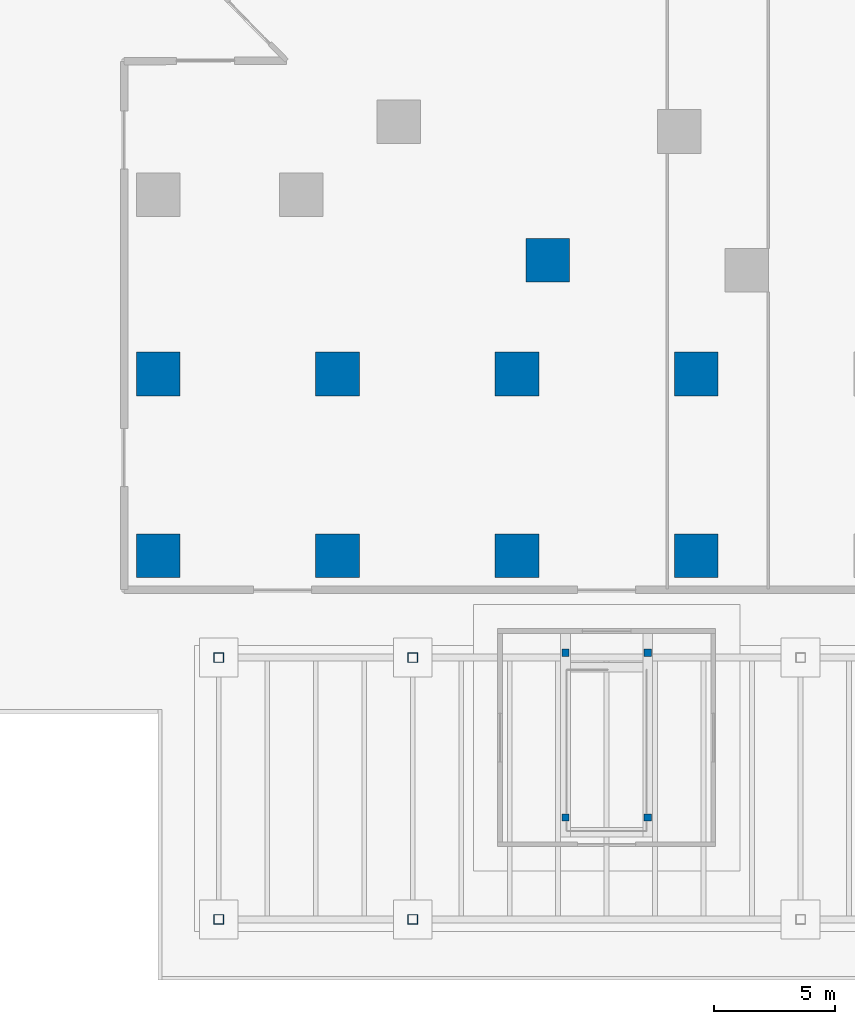
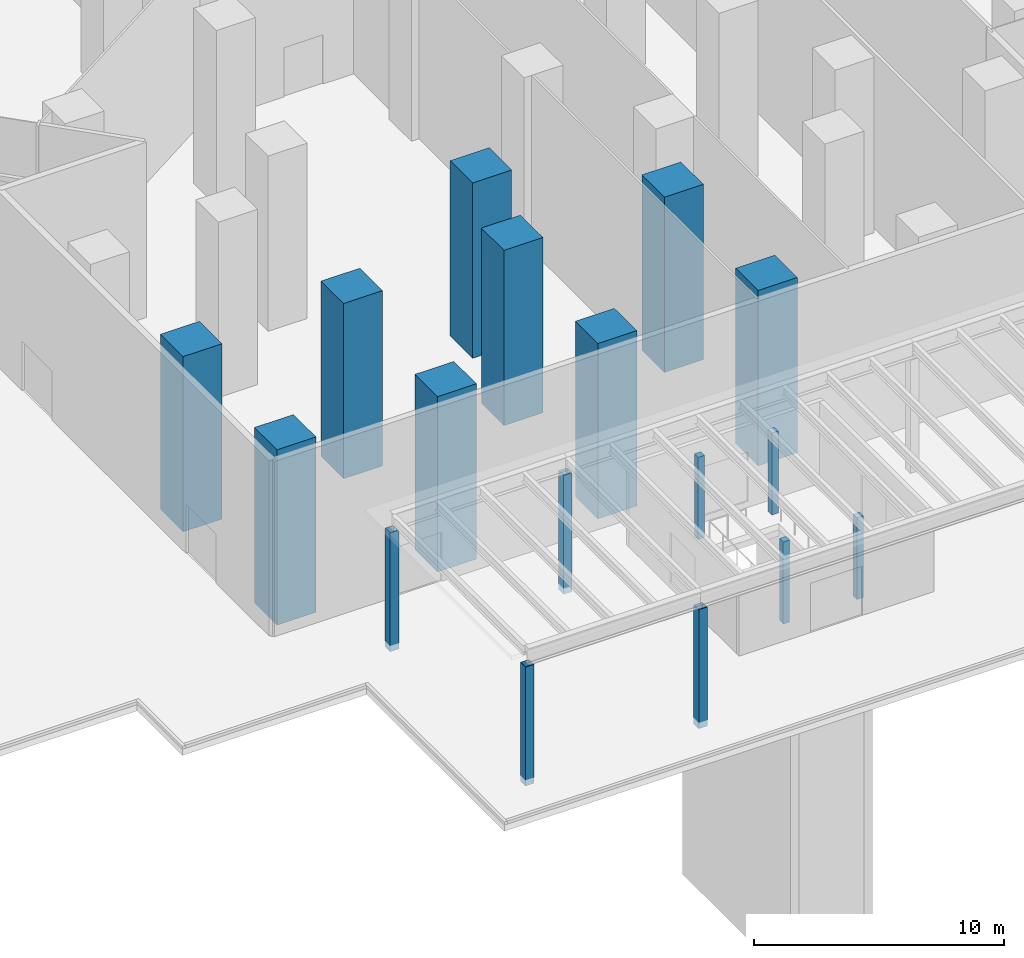
# One storey, part 2 of 40: 17 columns.
"""IFC4 building model written with IfcOpenShell, lengths in metres."""

from ifc_helpers import new_model, si_unit, direction, frame, origin, origin_2d, place, context, subcontext, project, spatial, rectangle, hollow_rectangle, extrude, material, material_profile, profile_set, type_object, element, save


model = new_model("IFC4")

# Units and contexts
model_context = context("Model", 3, precision=1e-05, world=origin(), true_north=direction((0.0, 1.0)))
body_context = subcontext(model_context, "Body", "Model", "MODEL_VIEW")
ifc_project = project(units=[si_unit("LENGTHUNIT", "METRE"), si_unit("AREAUNIT", "SQUARE_METRE"), si_unit("VOLUMEUNIT", "CUBIC_METRE"), si_unit("PLANEANGLEUNIT", "RADIAN"), si_unit("MASSUNIT", "GRAM", prefix="KILO")], contexts=[model_context])

# Site, building, storey
site_placement = place(None, origin())
site = spatial("IfcSite", under=ifc_project, at=site_placement, CompositionType="ELEMENT")
building_placement = place(site_placement, origin())
building = spatial("IfcBuilding", under=site, at=building_placement, Name="Dongbaek Canopy Tower", CompositionType="ELEMENT")
storey_placement = place(building_placement, origin())
storey = spatial("IfcBuildingStorey", under=building, at=storey_placement, Name="L00", CompositionType="ELEMENT", Elevation=0.0)

# Columns
ifc_material_1 = material(Name="Steel S355", Category="steel")
ifc_material_profile_1 = material_profile(ifc_material_1, rectangle(XDim=0.300048828125, YDim=0.300048828125, at=origin_2d()), Name="Pavilion column 300")
ifc_profile_set_1 = profile_set([ifc_material_profile_1], Name="Steel S355")
column_type_1 = type_object("IfcColumnType", Name="Pavilion column 300", PredefinedType="COLUMN", material=ifc_profile_set_1)
for number, where, z_axis, x_axis, name in (
    (1, (-13.699951171875, -48.5, 0.0), (0.0, 0.0, 1.0), (1.0, 0.0, 0.0), "Metro entrance A column 1"),
    (2, (-13.699951171875, -55.300048828125, 0.0), (0.0, 0.0, 1.0), (1.0, 0.0, 0.0), "Metro entrance A column 2"),
    (3, (-10.300048828125, -48.5, 0.0), (0.0, 0.0, 1.0), (1.0, 0.0, 0.0), "Metro entrance A column 3"),
    (4, (-10.300048828125, -55.300048828125, 0.0), (0.0, 0.0, 1.0), (1.0, 0.0, 0.0), "Metro entrance A column 4"),
):
    element("IfcColumn", number, at=place(storey_placement, frame(where, z_axis=z_axis, x_axis=x_axis)), inside=storey, type_object=column_type_1, Name=name, PredefinedType="COLUMN", context=body_context, shape_type="SweptSolid", body=[
        extrude(rectangle(XDim=0.300048828125, YDim=0.300048828125, at=origin_2d()), origin(), (0.0, 0.0, 1.0), 4.0),
    ])
ifc_material_2 = material(Name="Concrete C80", Category="concrete")
ifc_material_profile_2 = material_profile(ifc_material_2, rectangle(XDim=1.800048828125, YDim=1.800048828125, at=origin_2d()), Name="RC COLUMN 1800x1800 C80")
ifc_profile_set_2 = profile_set([ifc_material_profile_2], Name="Concrete C80")
column_type_2 = type_object("IfcColumnType", Name="RC COLUMN 1800x1800 C80", PredefinedType="COLUMN", material=ifc_profile_set_2)
for number, where, z_axis, x_axis, name in (
    (5, (-14.43408203125, -32.31298828125, 0.0), (0.0, 0.0, 1.0), (1.0, 0.0, 0.0), "COL:CP-05:L00"),
    (6, (-30.5, -44.5, 0.0), (0.0, 0.0, 1.0), (1.0, 0.0, 0.0), "COL:CWSA-01:L00"),
    (7, (-30.5, -37.0, 0.0), (0.0, 0.0, 1.0), (1.0, 0.0, 0.0), "COL:CWSA-02:L00"),
    (8, (-23.10009765625, -44.5, 0.0), (0.0, 0.0, 1.0), (1.0, 0.0, 0.0), "COL:CWSA-04:L00"),
    (9, (-23.10009765625, -37.0, 0.0), (0.0, 0.0, 1.0), (1.0, 0.0, 0.0), "COL:CWSA-05:L00"),
    (10, (-15.699951171875, -44.5, 0.0), (0.0, 0.0, 1.0), (1.0, 0.0, 0.0), "COL:CWSA-07:L00"),
    (11, (-15.699951171875, -37.0, 0.0), (0.0, 0.0, 1.0), (1.0, 0.0, 0.0), "COL:CWSA-08:L00"),
    (12, (-8.300048828125, -44.5, 0.0), (0.0, 0.0, 1.0), (1.0, 0.0, 0.0), "COL:CWSA-09:L00"),
    (13, (-8.300048828125, -37.0, 0.0), (0.0, 0.0, 1.0), (1.0, 0.0, 0.0), "COL:CWSA-10:L00"),
):
    element("IfcColumn", number, at=place(storey_placement, frame(where, z_axis=z_axis, x_axis=x_axis)), inside=storey, type_object=column_type_2, Name=name, PredefinedType="COLUMN", context=body_context, shape_type="SweptSolid", body=[
        extrude(rectangle(XDim=1.800048828125, YDim=1.800048828125, at=origin_2d()), origin(), (0.0, 0.0, 1.0), 8.550048828125),
    ])
ifc_material_3 = material(Name="Steel S355", Category="steel")
ifc_material_profile_3 = material_profile(ifc_material_3, hollow_rectangle(XDim=0.39990234375, YDim=0.39990234375, WallThickness=0.01611328125, at=origin_2d()), Name="STATION CANOPY COLUMN 400x400x16 Steel S355")
ifc_profile_set_3 = profile_set([ifc_material_profile_3], Name="Steel S355")
column_type_3 = type_object("IfcColumnType", Name="STATION CANOPY COLUMN 400x400x16 Steel S355", PredefinedType="COLUMN", material=ifc_profile_set_3)
for number, where, z_axis, x_axis, name in (
    (14, (-28.0, -48.699951171875, -0.300048828125), (0.0, 0.0, 1.0), (1.0, 0.0, 0.0), "Station canopy A column 1"),
    (15, (-28.0, -59.5, -0.300048828125), (0.0, 0.0, 1.0), (1.0, 0.0, 0.0), "Station canopy A column 2"),
    (16, (-20.0, -48.699951171875, -0.300048828125), (0.0, 0.0, 1.0), (1.0, 0.0, 0.0), "Station canopy A column 3"),
    (17, (-20.0, -59.5, -0.300048828125), (0.0, 0.0, 1.0), (1.0, 0.0, 0.0), "Station canopy A column 4"),
):
    element("IfcColumn", number, at=place(storey_placement, frame(where, z_axis=z_axis, x_axis=x_axis)), inside=storey, type_object=column_type_3, Name=name, PredefinedType="COLUMN", context=body_context, shape_type="SweptSolid", body=[
        extrude(hollow_rectangle(XDim=0.39990234375, YDim=0.39990234375, WallThickness=0.01611328125, at=origin_2d()), origin(), (0.0, 0.0, 1.0), 5.800048828125),
    ])

save(model, "model.ifc")
